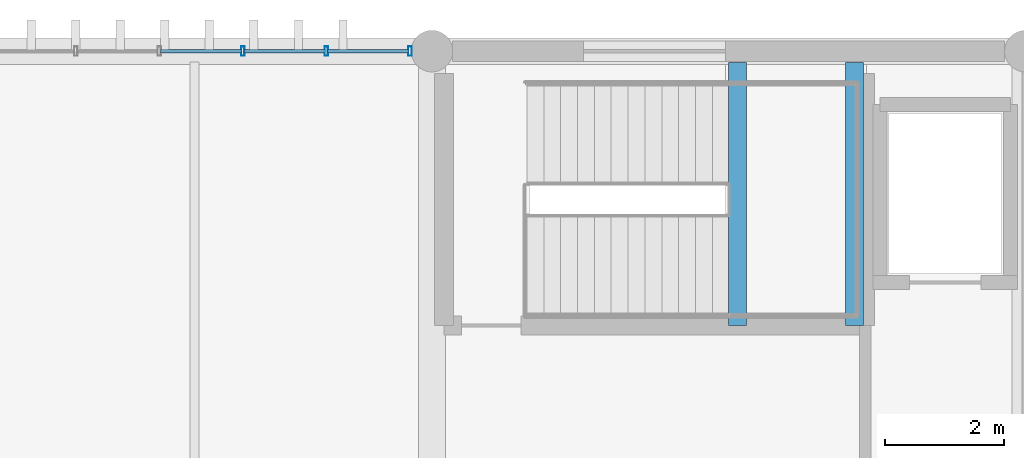
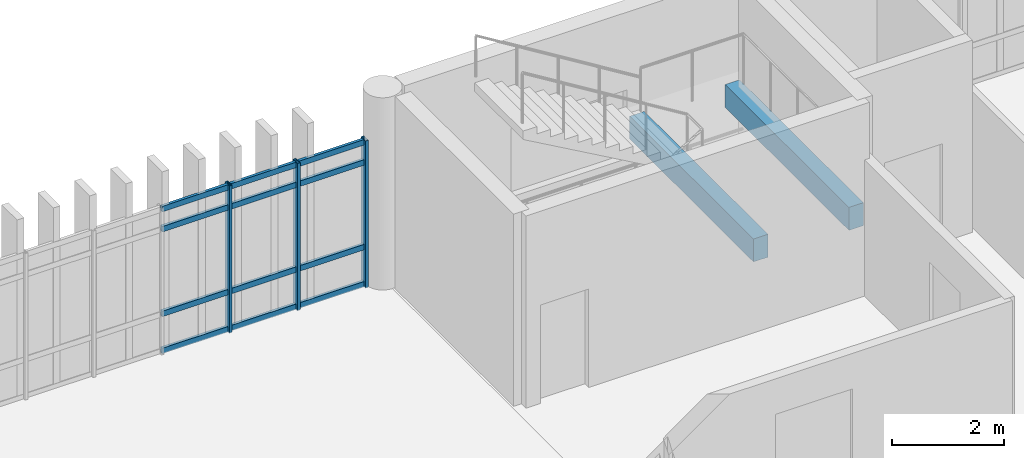
# One storey, part 15 of 29: 15 members, 2 beams, 1 element without a shape of its own.
"""IFC4 building model written with IfcOpenShell, lengths in metres."""

from ifc_helpers import new_model, si_unit, direction, frame, origin, origin_2d, place, context, subcontext, project, spatial, rectangle, hollow_rectangle, extrude, material, layer, layer_set, material_profile, profile_set, type_object, element, aggregate, save


model = new_model("IFC4")

# Units and contexts
model_context = context("Model", 3, precision=1e-05, world=origin(), true_north=direction((0.0, 1.0)))
body_context = subcontext(model_context, "Body", "Model", "MODEL_VIEW")
ifc_project = project(units=[si_unit("LENGTHUNIT", "METRE"), si_unit("AREAUNIT", "SQUARE_METRE"), si_unit("VOLUMEUNIT", "CUBIC_METRE"), si_unit("PLANEANGLEUNIT", "RADIAN"), si_unit("MASSUNIT", "GRAM", prefix="KILO")], contexts=[model_context])

# Site, building, storey
site_placement = place(None, origin())
site = spatial("IfcSite", under=ifc_project, at=site_placement, CompositionType="ELEMENT")
building_placement = place(site_placement, origin())
building = spatial("IfcBuilding", under=site, at=building_placement, Name="Mersad Railyard Sports Hall", CompositionType="ELEMENT")
storey_placement = place(building_placement, frame((0.0, 0.0, 17.39990234375)))
storey = spatial("IfcBuildingStorey", under=building, at=storey_placement, Name="L04", CompositionType="ELEMENT", Elevation=17.39990234375)

# Curtain wall, members
ifc_material_1 = material(Name="Aluminium 6063-T6", Category="aluminium")
ifc_layer = layer(ifc_material_1, 0.159912109375)
ifc_layer_set = layer_set([ifc_layer], Name="Aluminium 6063-T6")
curtain_wall_type = type_object("IfcCurtainWallType", Name="ARC-CW-CW62", PredefinedType="USERDEFINED", material=ifc_layer_set)
curtain_wall_placement = place(storey_placement, origin())
curtain_wall = element("IfcCurtainWall", 1, at=curtain_wall_placement, inside=storey, type_object=curtain_wall_type, Name="Curtain wall CW62-0163", ObjectType="CURTAIN WALL", PredefinedType="USERDEFINED")
ifc_material_profile_1 = material_profile(ifc_material_1, hollow_rectangle(XDim=0.06005859375, YDim=0.159912109375, WallThickness=0.00390625, at=origin_2d()), Name="AL MULLION 60x160x4")
ifc_profile_set_1 = profile_set([ifc_material_profile_1], Name="Aluminium 6063-T6")
member_type_1 = type_object("IfcMemberType", Name="ARC-CW-MUL01", PredefinedType="MULLION", material=ifc_profile_set_1)
member_1_placement = place(storey_placement, frame((87.81494140625, 115.0, -0.02001953125), z_axis=(0.0, 0.0, 1.0), x_axis=(1.0, 0.0, 0.0)))
member_1 = element("IfcMember", 2, at=member_1_placement, type_object=member_type_1, Name="CW62 Mullion 7", PredefinedType="MULLION", context=body_context, shape_type="SweptSolid", body=[
    extrude(hollow_rectangle(XDim=0.06005859375, YDim=0.159912109375, WallThickness=0.00390625, at=origin_2d()), origin(), (0.0, 0.0, 1.0), 3.22021484375),
])
member_2_placement = place(storey_placement, frame((89.222412109375, 115.0, -0.02001953125), z_axis=(0.0, 0.0, 1.0), x_axis=(1.0, 0.0, 0.0)))
member_2 = element("IfcMember", 3, at=member_2_placement, type_object=member_type_1, Name="CW62 Mullion 8", PredefinedType="MULLION", context=body_context, shape_type="SweptSolid", body=[
    extrude(hollow_rectangle(XDim=0.06005859375, YDim=0.159912109375, WallThickness=0.00390625, at=origin_2d()), origin(), (0.0, 0.0, 1.0), 3.22021484375),
])
member_3_placement = place(storey_placement, frame((90.6298828125, 115.0, -0.02001953125), z_axis=(0.0, 0.0, 1.0), x_axis=(1.0, 0.0, 0.0)))
member_3 = element("IfcMember", 4, at=member_3_placement, type_object=member_type_1, Name="CW62 Mullion 9", PredefinedType="MULLION", context=body_context, shape_type="SweptSolid", body=[
    extrude(hollow_rectangle(XDim=0.06005859375, YDim=0.159912109375, WallThickness=0.00390625, at=origin_2d()), origin(), (0.0, 0.0, 1.0), 3.22021484375),
])
ifc_material_profile_2 = material_profile(ifc_material_1, hollow_rectangle(XDim=0.06005859375, YDim=0.1201171875, WallThickness=0.00390625, at=origin_2d()), Name="AL TRANSOM 60x120x4")
ifc_profile_set_2 = profile_set([ifc_material_profile_2], Name="Aluminium 6063-T6")
member_type_2 = type_object("IfcMemberType", Name="ARC-CW-TRN01", PredefinedType="USERDEFINED", material=ifc_profile_set_2)
member_4_placement = place(storey_placement, frame((86.427490234375, 115.0, 0.0400390625), z_axis=(1.0, 0.0, 0.0), x_axis=(0.0, 1.0, 0.0)))
member_4 = element("IfcMember", 5, at=member_4_placement, type_object=member_type_2, Name="CW62 Transom 1-6", ObjectType="TRANSOM", PredefinedType="USERDEFINED", context=body_context, shape_type="SweptSolid", body=[
    extrude(hollow_rectangle(XDim=0.06005859375, YDim=0.1201171875, WallThickness=0.00390625, at=origin_2d()), origin(), (0.0, 0.0, 1.0), 1.367431640625),
])
member_5_placement = place(storey_placement, frame((87.8349609375, 115.0, 0.0400390625), z_axis=(1.0, 0.0, 0.0), x_axis=(0.0, 1.0, 0.0)))
member_5 = element("IfcMember", 6, at=member_5_placement, type_object=member_type_2, Name="CW62 Transom 1-7", ObjectType="TRANSOM", PredefinedType="USERDEFINED", context=body_context, shape_type="SweptSolid", body=[
    extrude(hollow_rectangle(XDim=0.06005859375, YDim=0.1201171875, WallThickness=0.00390625, at=origin_2d()), origin(), (0.0, 0.0, 1.0), 1.367431640625),
])
member_6_placement = place(storey_placement, frame((89.242431640625, 115.0, 0.0400390625), z_axis=(1.0, 0.0, 0.0), x_axis=(0.0, 1.0, 0.0)))
member_6 = element("IfcMember", 7, at=member_6_placement, type_object=member_type_2, Name="CW62 Transom 1-8", ObjectType="TRANSOM", PredefinedType="USERDEFINED", context=body_context, shape_type="SweptSolid", body=[
    extrude(hollow_rectangle(XDim=0.06005859375, YDim=0.1201171875, WallThickness=0.00390625, at=origin_2d()), origin(), (0.0, 0.0, 1.0), 1.36767578125),
])
member_7_placement = place(storey_placement, frame((86.427490234375, 115.0, 0.85009765625), z_axis=(1.0, 0.0, 0.0), x_axis=(0.0, 1.0, 0.0)))
member_7 = element("IfcMember", 8, at=member_7_placement, type_object=member_type_2, Name="CW62 Transom 2-6", ObjectType="TRANSOM", PredefinedType="USERDEFINED", context=body_context, shape_type="SweptSolid", body=[
    extrude(hollow_rectangle(XDim=0.06005859375, YDim=0.1201171875, WallThickness=0.00390625, at=origin_2d()), origin(), (0.0, 0.0, 1.0), 1.367431640625),
])
member_8_placement = place(storey_placement, frame((87.8349609375, 115.0, 0.85009765625), z_axis=(1.0, 0.0, 0.0), x_axis=(0.0, 1.0, 0.0)))
member_8 = element("IfcMember", 9, at=member_8_placement, type_object=member_type_2, Name="CW62 Transom 2-7", ObjectType="TRANSOM", PredefinedType="USERDEFINED", context=body_context, shape_type="SweptSolid", body=[
    extrude(hollow_rectangle(XDim=0.06005859375, YDim=0.1201171875, WallThickness=0.00390625, at=origin_2d()), origin(), (0.0, 0.0, 1.0), 1.367431640625),
])
member_9_placement = place(storey_placement, frame((89.242431640625, 115.0, 0.85009765625), z_axis=(1.0, 0.0, 0.0), x_axis=(0.0, 1.0, 0.0)))
member_9 = element("IfcMember", 10, at=member_9_placement, type_object=member_type_2, Name="CW62 Transom 2-8", ObjectType="TRANSOM", PredefinedType="USERDEFINED", context=body_context, shape_type="SweptSolid", body=[
    extrude(hollow_rectangle(XDim=0.06005859375, YDim=0.1201171875, WallThickness=0.00390625, at=origin_2d()), origin(), (0.0, 0.0, 1.0), 1.36767578125),
])
member_10_placement = place(storey_placement, frame((86.427490234375, 115.0, 2.7001953125), z_axis=(1.0, 0.0, 0.0), x_axis=(0.0, 1.0, 0.0)))
member_10 = element("IfcMember", 11, at=member_10_placement, type_object=member_type_2, Name="CW62 Transom 3-6", ObjectType="TRANSOM", PredefinedType="USERDEFINED", context=body_context, shape_type="SweptSolid", body=[
    extrude(hollow_rectangle(XDim=0.06005859375, YDim=0.1201171875, WallThickness=0.00390625, at=origin_2d()), origin(), (0.0, 0.0, 1.0), 1.367431640625),
])
member_11_placement = place(storey_placement, frame((87.8349609375, 115.0, 2.7001953125), z_axis=(1.0, 0.0, 0.0), x_axis=(0.0, 1.0, 0.0)))
member_11 = element("IfcMember", 12, at=member_11_placement, type_object=member_type_2, Name="CW62 Transom 3-7", ObjectType="TRANSOM", PredefinedType="USERDEFINED", context=body_context, shape_type="SweptSolid", body=[
    extrude(hollow_rectangle(XDim=0.06005859375, YDim=0.1201171875, WallThickness=0.00390625, at=origin_2d()), origin(), (0.0, 0.0, 1.0), 1.367431640625),
])
member_12_placement = place(storey_placement, frame((89.242431640625, 115.0, 2.7001953125), z_axis=(1.0, 0.0, 0.0), x_axis=(0.0, 1.0, 0.0)))
member_12 = element("IfcMember", 13, at=member_12_placement, type_object=member_type_2, Name="CW62 Transom 3-8", ObjectType="TRANSOM", PredefinedType="USERDEFINED", context=body_context, shape_type="SweptSolid", body=[
    extrude(hollow_rectangle(XDim=0.06005859375, YDim=0.1201171875, WallThickness=0.00390625, at=origin_2d()), origin(), (0.0, 0.0, 1.0), 1.36767578125),
])
member_13_placement = place(storey_placement, frame((86.427490234375, 115.0, 3.14013671875), z_axis=(1.0, 0.0, 0.0), x_axis=(0.0, 1.0, 0.0)))
member_13 = element("IfcMember", 14, at=member_13_placement, type_object=member_type_2, Name="CW62 Transom 4-6", ObjectType="TRANSOM", PredefinedType="USERDEFINED", context=body_context, shape_type="SweptSolid", body=[
    extrude(hollow_rectangle(XDim=0.06005859375, YDim=0.1201171875, WallThickness=0.00390625, at=origin_2d()), origin(), (0.0, 0.0, 1.0), 1.367431640625),
])
member_14_placement = place(storey_placement, frame((87.8349609375, 115.0, 3.14013671875), z_axis=(1.0, 0.0, 0.0), x_axis=(0.0, 1.0, 0.0)))
member_14 = element("IfcMember", 15, at=member_14_placement, type_object=member_type_2, Name="CW62 Transom 4-7", ObjectType="TRANSOM", PredefinedType="USERDEFINED", context=body_context, shape_type="SweptSolid", body=[
    extrude(hollow_rectangle(XDim=0.06005859375, YDim=0.1201171875, WallThickness=0.00390625, at=origin_2d()), origin(), (0.0, 0.0, 1.0), 1.367431640625),
])
member_15_placement = place(storey_placement, frame((89.242431640625, 115.0, 3.14013671875), z_axis=(1.0, 0.0, 0.0), x_axis=(0.0, 1.0, 0.0)))
member_15 = element("IfcMember", 16, at=member_15_placement, type_object=member_type_2, Name="CW62 Transom 4-8", ObjectType="TRANSOM", PredefinedType="USERDEFINED", context=body_context, shape_type="SweptSolid", body=[
    extrude(hollow_rectangle(XDim=0.06005859375, YDim=0.1201171875, WallThickness=0.00390625, at=origin_2d()), origin(), (0.0, 0.0, 1.0), 1.36767578125),
])
aggregate(curtain_wall, [member_1, member_2, member_3, member_4, member_5, member_6, member_7, member_8, member_9, member_10, member_11, member_12, member_13, member_14, member_15])

# Beams
ifc_material_2 = material(Name="Concrete C40/50", Category="concrete")
ifc_material_profile_3 = material_profile(ifc_material_2, rectangle(XDim=0.300048828125, YDim=0.5, at=origin_2d()), Name="RC 300x500")
ifc_profile_set_3 = profile_set([ifc_material_profile_3], Name="Concrete C40/50")
beam_type = type_object("IfcBeamType", Name="STR-BM-LN01", PredefinedType="LINTEL", material=ifc_profile_set_3)
for number, where, z_axis, x_axis, name in (
    (17, (96.14794921875, 110.3798828125, 1.670166015625), (0.0, 1.0, 0.0), (-1.0, 0.0, 0.0), "Stair ST02F landing beam W"),
    (18, (98.1201171875, 110.3798828125, 1.670166015625), (0.0, 1.0, 0.0), (-1.0, 0.0, 0.0), "Stair ST02F landing beam E"),
):
    element("IfcBeam", number, at=place(storey_placement, frame(where, z_axis=z_axis, x_axis=x_axis)), inside=storey, type_object=beam_type, Name=name, PredefinedType="LINTEL", context=body_context, shape_type="SweptSolid", body=[
        extrude(rectangle(XDim=0.300048828125, YDim=0.5, at=origin_2d()), origin(), (0.0, 0.0, 1.0), 4.43017578125),
    ])

save(model, "model.ifc")
